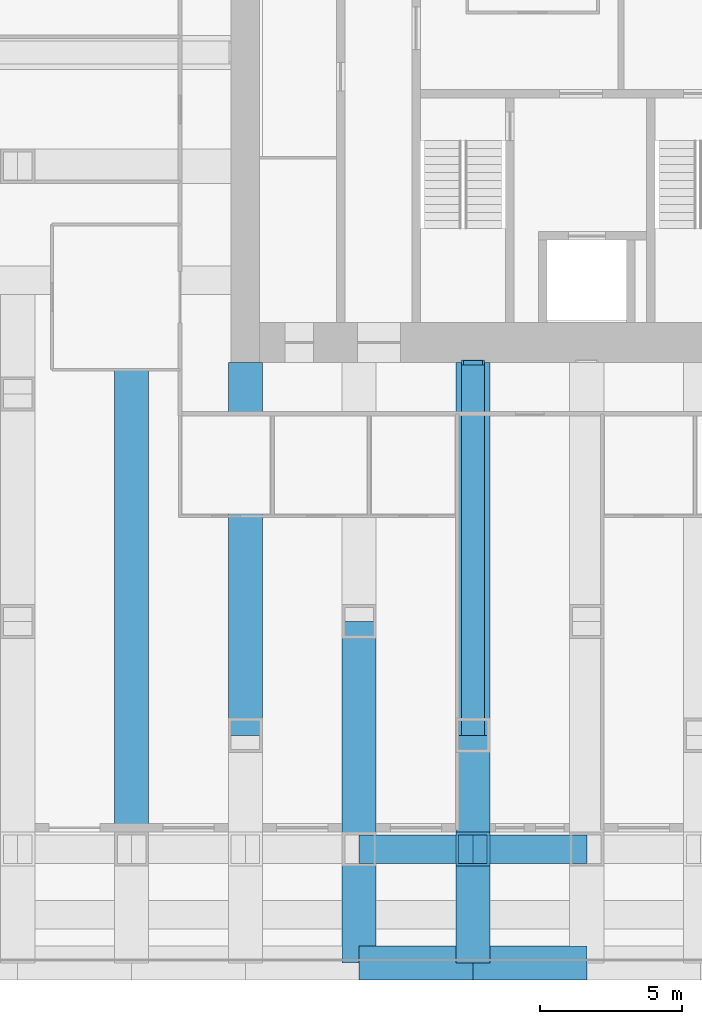
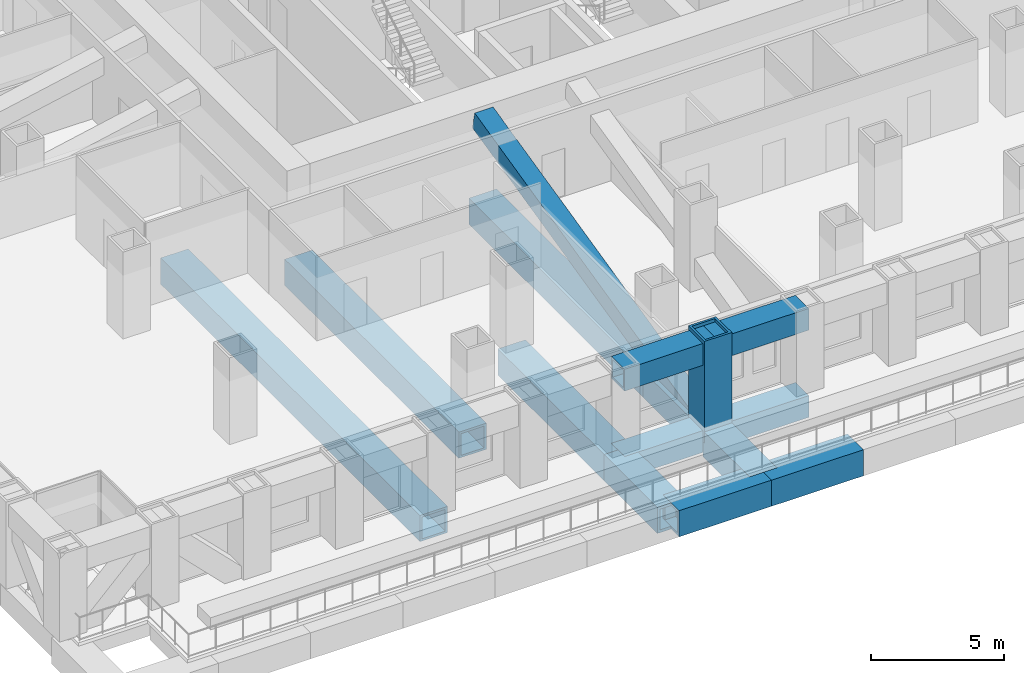
# One storey, part 3 of 18: 12 beams, 2 members.
"""IFC4 building model written with IfcOpenShell, lengths in metres."""

from ifc_helpers import new_model, si_unit, direction, frame, origin, origin_2d, place, context, subcontext, project, spatial, hollow_rectangle, extrude, material, material_profile, profile_set, type_object, element, save


model = new_model("IFC4")

# Units and contexts
model_context = context("Model", 3, precision=1e-05, world=origin(), true_north=direction((0.0, 1.0)))
body_context = subcontext(model_context, "Body", "Model", "MODEL_VIEW")
ifc_project = project(units=[si_unit("LENGTHUNIT", "METRE"), si_unit("AREAUNIT", "SQUARE_METRE"), si_unit("VOLUMEUNIT", "CUBIC_METRE"), si_unit("PLANEANGLEUNIT", "RADIAN"), si_unit("MASSUNIT", "GRAM", prefix="KILO")], contexts=[model_context])

# Site, building, storey
site_placement = place(None, origin())
site = spatial("IfcSite", under=ifc_project, at=site_placement, CompositionType="ELEMENT")
building_placement = place(site_placement, origin())
building = spatial("IfcBuilding", under=site, at=building_placement, Name="Rimbunsela Tower", CompositionType="ELEMENT")
storey_placement = place(building_placement, frame((0.0, 0.0, 43.0)))
storey = spatial("IfcBuildingStorey", under=building, at=storey_placement, Name="L10", CompositionType="ELEMENT", Elevation=43.0)

# Beams
ifc_material_1 = material(Name="Steel BJ 55 (fy 410 MPa)", Category="steel")
ifc_material_profile_1 = material_profile(ifc_material_1, hollow_rectangle(XDim=1.199951171875, YDim=1.199951171875, WallThickness=0.10009765625, at=origin_2d()), Name="BOX 1200x1200x100")
ifc_profile_set_1 = profile_set([ifc_material_profile_1], Name="Steel BJ 55 (fy 410 MPa)")
beam_type_1 = type_object("IfcBeamType", Name="Beam BOX 1200x1200x100", PredefinedType="BEAM", material=ifc_profile_set_1)
beam_1_placement = place(storey_placement, frame((14.0, 0.0, -0.75), z_axis=(0.0, 1.0, 0.0), x_axis=(-1.0, 0.0, 0.0)))
element("IfcBeam", 1, at=beam_1_placement, inside=storey, type_object=beam_type_1, Name="Beam B5 L10", PredefinedType="BEAM", context=body_context, shape_type="SweptSolid", body=[
    extrude(hollow_rectangle(XDim=1.199951171875, YDim=1.199951171875, WallThickness=0.10009765625, at=origin_2d()), origin(), (0.0, 0.0, 1.0), 19.5),
])
beam_2_placement = place(storey_placement, frame((18.0, 4.0, -0.75), z_axis=(0.0, 1.0, 0.0), x_axis=(-1.0, 0.0, 0.0)))
element("IfcBeam", 2, at=beam_2_placement, inside=storey, type_object=beam_type_1, Name="Beam B5 L10", PredefinedType="BEAM", context=body_context, shape_type="SweptSolid", body=[
    extrude(hollow_rectangle(XDim=1.199951171875, YDim=1.199951171875, WallThickness=0.10009765625, at=origin_2d()), origin(), (0.0, 0.0, 1.0), 13.10009765625),
])
beam_3_placement = place(storey_placement, frame((22.0, 0.0, -0.75), z_axis=(0.0, 1.0, 0.0), x_axis=(-1.0, 0.0, 0.0)))
element("IfcBeam", 3, at=beam_3_placement, inside=storey, type_object=beam_type_1, Name="Beam B5 L10", PredefinedType="BEAM", context=body_context, shape_type="SweptSolid", body=[
    extrude(hollow_rectangle(XDim=1.199951171875, YDim=1.199951171875, WallThickness=0.10009765625, at=origin_2d()), origin(), (0.0, 0.0, 1.0), 8.0),
])
beam_4_placement = place(storey_placement, frame((26.0, 0.5, -0.75), z_axis=(0.0, 1.0, 0.0), x_axis=(-1.0, 0.0, 0.0)))
element("IfcBeam", 4, at=beam_4_placement, inside=storey, type_object=beam_type_1, Name="Beam B5 L10", PredefinedType="BEAM", context=body_context, shape_type="SweptSolid", body=[
    extrude(hollow_rectangle(XDim=1.199951171875, YDim=1.199951171875, WallThickness=0.10009765625, at=origin_2d()), origin(), (0.0, 0.0, 1.0), 3.5),
])
beam_5_placement = place(storey_placement, frame((26.0, 4.0, -0.75), z_axis=(0.0, 1.0, 0.0), x_axis=(-1.0, 0.0, 0.0)))
element("IfcBeam", 5, at=beam_5_placement, inside=storey, type_object=beam_type_1, Name="Beam B5 L10", PredefinedType="BEAM", context=body_context, shape_type="SweptSolid", body=[
    extrude(hollow_rectangle(XDim=1.199951171875, YDim=1.199951171875, WallThickness=0.10009765625, at=origin_2d()), origin(), (0.0, 0.0, 1.0), 13.10009765625),
])
ifc_material_2 = material(Name="Steel BJ 55 (fy 410 MPa)", Category="steel")
ifc_material_profile_2 = material_profile(ifc_material_2, hollow_rectangle(XDim=1.199951171875, YDim=1.199951171875, WallThickness=0.125, at=origin_2d()), Name="BOX 1200x1200x125")
ifc_profile_set_2 = profile_set([ifc_material_profile_2], Name="Steel BJ 55 (fy 410 MPa)")
beam_type_2 = type_object("IfcBeamType", Name="Beam BOX 1200x1200x125", PredefinedType="BEAM", material=ifc_profile_set_2)
for number, where, z_axis, x_axis, name in (
    (6, (22.0, -4.0, -0.75), (0.0, 1.0, 0.0), (-1.0, 0.0, 0.0), "Beam B4 L10"),
    (7, (22.0, -4.0, -0.75), (1.0, 0.0, 0.0), (0.0, 1.0, 0.0), "Beam B4 L10"),
):
    element("IfcBeam", number, at=place(storey_placement, frame(where, z_axis=z_axis, x_axis=x_axis)), inside=storey, type_object=beam_type_2, Name=name, PredefinedType="BEAM", context=body_context, shape_type="SweptSolid", body=[
        extrude(hollow_rectangle(XDim=1.199951171875, YDim=1.199951171875, WallThickness=0.125, at=origin_2d()), origin(), (0.0, 0.0, 1.0), 4.0),
    ])
beam_6_placement = place(storey_placement, frame((26.0, -4.0, -0.75), z_axis=(0.0, 1.0, 0.0), x_axis=(-1.0, 0.0, 0.0)))
element("IfcBeam", 8, at=beam_6_placement, inside=storey, type_object=beam_type_2, Name="Beam B4 L10", PredefinedType="BEAM", context=body_context, shape_type="SweptSolid", body=[
    extrude(hollow_rectangle(XDim=1.199951171875, YDim=1.199951171875, WallThickness=0.125, at=origin_2d()), origin(), (0.0, 0.0, 1.0), 3.5),
])
beam_7_placement = place(storey_placement, frame((26.0, -4.0, -0.75), z_axis=(1.0, 0.0, 0.0), x_axis=(0.0, 1.0, 0.0)))
element("IfcBeam", 9, at=beam_7_placement, inside=storey, type_object=beam_type_2, Name="Beam B4 L10", PredefinedType="BEAM", context=body_context, shape_type="SweptSolid", body=[
    extrude(hollow_rectangle(XDim=1.199951171875, YDim=1.199951171875, WallThickness=0.125, at=origin_2d()), origin(), (0.0, 0.0, 1.0), 4.0),
])

# Member
ifc_material_3 = material(Name="Steel BJ 55 (fy 410 MPa)", Category="steel")
ifc_material_profile_3 = material_profile(ifc_material_3, hollow_rectangle(XDim=0.800048828125, YDim=0.800048828125, WallThickness=0.06005859375, at=origin_2d()), Name="BOX 800x800x60")
ifc_profile_set_3 = profile_set([ifc_material_profile_3], Name="Steel BJ 55 (fy 410 MPa)")
member_type_1 = type_object("IfcMemberType", Name="Outrigger brace BOX 800x800x60", PredefinedType="BRACE", material=ifc_profile_set_3)
member_1_placement = place(storey_placement, frame((26.0, 0.0, -0.64990234375), z_axis=(0.0, 0.973715343185, 0.22776837016), x_axis=(-1.0, 0.0, 0.0)))
element("IfcMember", 10, at=member_1_placement, inside=storey, type_object=member_type_1, Name="Outrigger brace OB1 S L10", PredefinedType="BRACE", context=body_context, shape_type="SweptSolid", body=[
    extrude(hollow_rectangle(XDim=0.800048828125, YDim=0.800048828125, WallThickness=0.06005859375, at=origin_2d()), origin(), (0.0, 0.0, 1.0), 17.561767578125),
])

# Beams
ifc_material_4 = material(Name="Steel BJ 55 (fy 410 MPa)", Category="steel")
ifc_material_profile_4 = material_profile(ifc_material_4, hollow_rectangle(XDim=1.0, YDim=1.0, WallThickness=0.10009765625, at=origin_2d()), Name="BOX 1000x1000x100")
ifc_profile_set_4 = profile_set([ifc_material_profile_4], Name="Steel BJ 55 (fy 410 MPa)")
beam_type_3 = type_object("IfcBeamType", Name="Truss chord BOX 1000x1000x100", PredefinedType="USERDEFINED", material=ifc_profile_set_4)
for number, where, z_axis, x_axis, name in (
    (11, (22.0, 0.0, 3.35009765625), (1.0, 0.0, 0.0), (0.0, 1.0, 0.0), "Truss top chord TC1 S face L10"),
    (12, (26.0, 0.0, 3.35009765625), (1.0, 0.0, 0.0), (0.0, 1.0, 0.0), "Truss top chord TC1 S face L10"),
):
    element("IfcBeam", number, at=place(storey_placement, frame(where, z_axis=z_axis, x_axis=x_axis)), inside=storey, type_object=beam_type_3, Name=name, ObjectType="TRUSS CHORD", PredefinedType="USERDEFINED", context=body_context, shape_type="SweptSolid", body=[
        extrude(hollow_rectangle(XDim=1.0, YDim=1.0, WallThickness=0.10009765625, at=origin_2d()), origin(), (0.0, 0.0, 1.0), 4.0),
    ])
beam_8_placement = place(storey_placement, frame((22.0, 0.0, -0.64990234375), z_axis=(1.0, 0.0, 0.0), x_axis=(0.0, 1.0, 0.0)))
element("IfcBeam", 13, at=beam_8_placement, inside=storey, type_object=beam_type_3, Name="Truss bottom chord TC1 S face L10", ObjectType="TRUSS CHORD", PredefinedType="USERDEFINED", context=body_context, shape_type="SweptSolid", body=[
    extrude(hollow_rectangle(XDim=1.0, YDim=1.0, WallThickness=0.10009765625, at=origin_2d()), origin(), (0.0, 0.0, 1.0), 8.0),
])

# Member
ifc_material_5 = material(Name="Steel BJ 55 (fy 410 MPa)", Category="steel")
ifc_material_profile_5 = material_profile(ifc_material_5, hollow_rectangle(XDim=1.199951171875, YDim=1.199951171875, WallThickness=0.10009765625, at=origin_2d()), Name="BOX 1200x1200x100")
ifc_profile_set_5 = profile_set([ifc_material_profile_5], Name="Steel BJ 55 (fy 410 MPa)")
member_type_2 = type_object("IfcMemberType", Name="Truss post BOX 1200x1200x100", PredefinedType="POST", material=ifc_profile_set_5)
member_2_placement = place(storey_placement, frame((26.0, 0.0, -0.64990234375), z_axis=(0.0, 0.0, 1.0), x_axis=(1.0, 0.0, 0.0)))
element("IfcMember", 14, at=member_2_placement, inside=storey, type_object=member_type_2, Name="Truss post TP1 9/B L10", PredefinedType="POST", context=body_context, shape_type="SweptSolid", body=[
    extrude(hollow_rectangle(XDim=1.199951171875, YDim=1.199951171875, WallThickness=0.10009765625, at=origin_2d()), origin(), (0.0, 0.0, 1.0), 4.64990234375),
])

save(model, "model.ifc")
